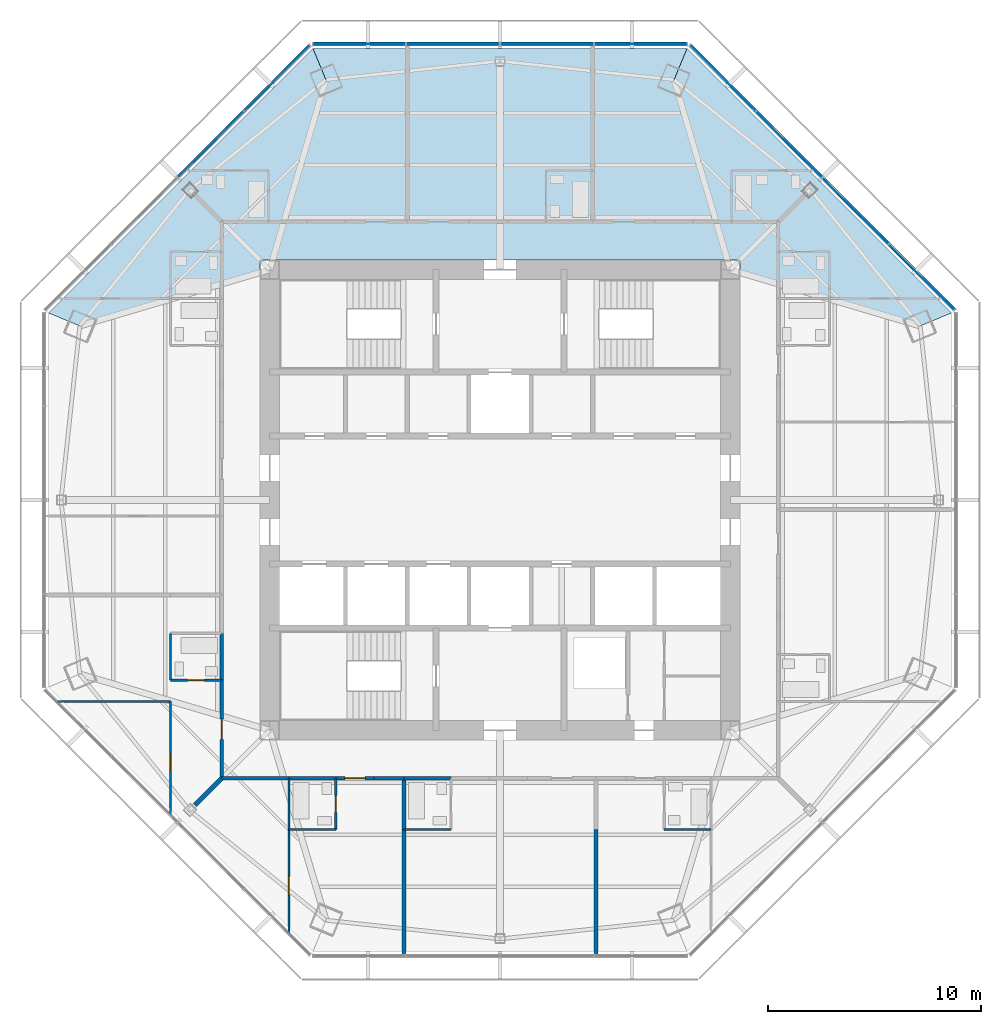
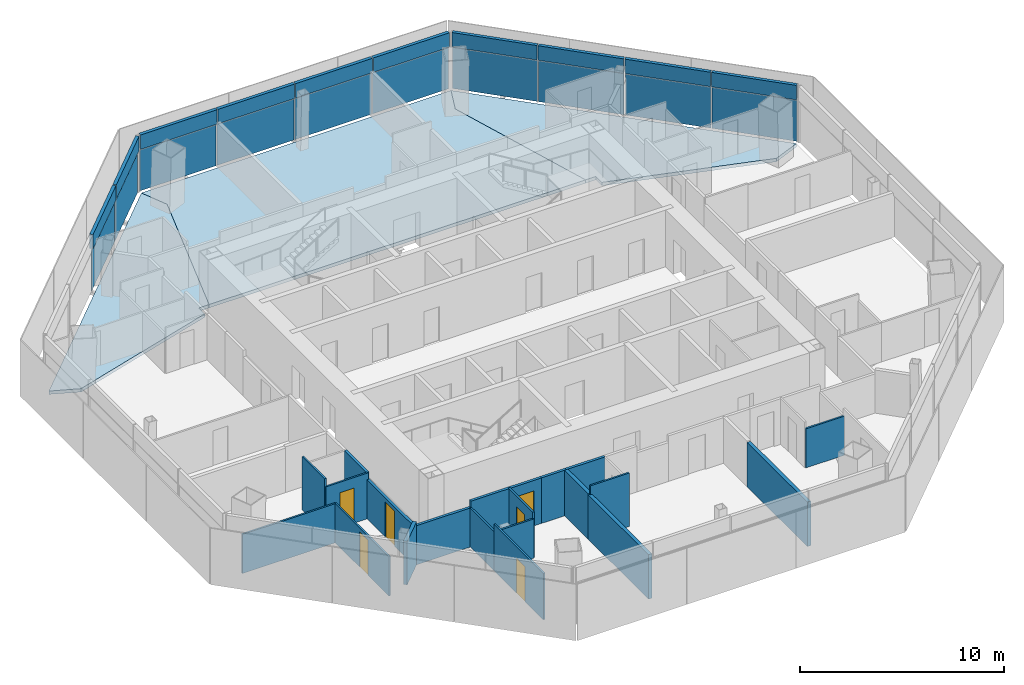
# One storey, part 9 of 15: 21 walls, 20 plates, 6 doors, 3 slabs, 6 openings, 3 elements without a shape of their own.
"""IFC4 building model written with IfcOpenShell, lengths in metres."""

from ifc_helpers import new_model, si_unit, direction, frame, frame_2d, origin, origin_2d, place, context, subcontext, project, spatial, polyline, rectangle, outline, extrude, source, transform, mapped, material, layer, layer_set, type_object, type_shapes, element, fill, aggregate, save


model = new_model("IFC4")

# Units and contexts
model_context = context("Model", 3, precision=1e-05, world=origin(), true_north=direction((0.0, 1.0)))
body_context = subcontext(model_context, "Body", "Model", "MODEL_VIEW")
ifc_project = project(units=[si_unit("LENGTHUNIT", "METRE"), si_unit("AREAUNIT", "SQUARE_METRE"), si_unit("VOLUMEUNIT", "CUBIC_METRE"), si_unit("PLANEANGLEUNIT", "RADIAN"), si_unit("MASSUNIT", "GRAM", prefix="KILO")], contexts=[model_context])

# Site, building, storey
site_placement = place(None, origin())
site = spatial("IfcSite", under=ifc_project, at=site_placement, CompositionType="ELEMENT")
building_placement = place(site_placement, origin())
building = spatial("IfcBuilding", under=site, at=building_placement, Name="Mashrafa Tower", CompositionType="ELEMENT")
storey_placement = place(building_placement, frame((0.0, 0.0, 234.60009765625)))
storey = spatial("IfcBuildingStorey", under=building, at=storey_placement, Name="L55", CompositionType="ELEMENT", Elevation=234.60009765625)

# Slabs
ifc_material_1 = material(Name="Concrete C35/45", Category="concrete")
ifc_layer_1 = layer(ifc_material_1, 0.199951171875)
ifc_layer_set_1 = layer_set([ifc_layer_1], Name="Floor slab 200")
slab_type = type_object("IfcSlabType", Name="Floor slab 200", PredefinedType="FLOOR", material=ifc_layer_set_1)
slab_1_placement = place(storey_placement, frame((0.0, 0.0, -0.2001953125)))
element("IfcSlab", 1, at=slab_1_placement, inside=storey, type_object=slab_type, Name="Floor slab L55 north-east bay", PredefinedType="FLOOR", context=body_context, shape_type="SweptSolid", body=[
    extrude(outline(polyline([(21.17822265625, 8.772216796875), (19.705810546875, 8.162353515625), (11.25, 10.666748046875), (11.25, 11.25), (10.666748046875, 11.25), (8.162353515625, 19.705810546875), (8.772216796875, 21.17822265625), (21.17822265625, 8.772216796875)])), origin(), (0.0, 0.0, 1.0), 0.2001953125),
])
slab_2_placement = place(storey_placement, frame((0.0, 0.0, -0.2001953125)))
element("IfcSlab", 2, at=slab_2_placement, inside=storey, type_object=slab_type, Name="Floor slab L55 north bay", PredefinedType="FLOOR", context=body_context, shape_type="SweptSolid", body=[
    extrude(outline(polyline([(-8.772216796875, 21.17822265625), (8.772216796875, 21.17822265625), (8.772216796875, 21.17822265625), (8.162353515625, 19.705810546875), (10.666748046875, 11.25), (-10.666748046875, 11.25), (-8.162353515625, 19.705810546875), (-8.772216796875, 21.17822265625), (-8.772216796875, 21.17822265625)])), origin(), (0.0, 0.0, 1.0), 0.2001953125),
])
slab_3_placement = place(storey_placement, frame((0.0, 0.0, -0.2001953125)))
element("IfcSlab", 3, at=slab_3_placement, inside=storey, type_object=slab_type, Name="Floor slab L55 north-west bay", PredefinedType="FLOOR", context=body_context, shape_type="SweptSolid", body=[
    extrude(outline(polyline([(-8.772216796875, 21.17822265625), (-8.162353515625, 19.705810546875), (-10.666748046875, 11.25), (-11.25, 11.25), (-11.25, 10.666748046875), (-19.705810546875, 8.162353515625), (-21.17822265625, 8.772216796875), (-8.772216796875, 21.17822265625)])), origin(), (0.0, 0.0, 1.0), 0.2001953125),
])

# Curtain wall, plates
ifc_material_2 = material(Name="Unitised aluminium curtain wall", Category="aluminium")
curtain_wall_type = type_object("IfcCurtainWallType", Name="Apartment curtain wall, zone 3 CW-C 180 deep", PredefinedType="NOTDEFINED", material=ifc_material_2)
curtain_wall_1_placement = place(storey_placement, origin())
curtain_wall_1 = element("IfcCurtainWall", 4, at=curtain_wall_1_placement, inside=storey, type_object=curtain_wall_type, Name="Apartment curtain wall, zone 3 L55 north-east", PredefinedType="NOTDEFINED")
ifc_material_3 = material(Name="Insulated double glazing, acoustic", Category="glass")
ifc_layer_2 = layer(ifc_material_3, 0.028076171875)
ifc_layer_set_2 = layer_set([ifc_layer_2], Name="Vision panel CW-C 28")
plate_type_1 = type_object("IfcPlateType", Name="Vision panel CW-C 28", PredefinedType="CURTAIN_PANEL", material=ifc_layer_set_2)
shared_shape_1 = source(origin(), body_context, "Body", "SweptSolid", [
    extrude(rectangle(XDim=4.31396484375, YDim=0.028076171875, at=origin_2d()), origin(), (0.0, 0.0, 1.0), 2.46240234375),
])
plate_1_placement = place(storey_placement, frame((19.777099609375, 10.456298828125, 0.0), z_axis=(0.0, 0.0, 1.0), x_axis=(-0.707106781187, 0.707106781187, 0.0)))
plate_1 = element("IfcPlate", 5, at=plate_1_placement, type_object=plate_type_1, Name="CW-C vision panel 1", PredefinedType="CURTAIN_PANEL", context=body_context, shape_type="MappedRepresentation", body=[
    mapped(shared_shape_1, transform((0.0, 0.0, 0.0))),
])
plate_2_placement = place(storey_placement, frame((10.456298828125, 19.777099609375, 0.0), z_axis=(0.0, 0.0, 1.0), x_axis=(-0.707106781187, 0.707106781187, 0.0)))
plate_2 = element("IfcPlate", 6, at=plate_2_placement, type_object=plate_type_1, Name="CW-C vision panel 4", PredefinedType="CURTAIN_PANEL", context=body_context, shape_type="MappedRepresentation", body=[
    mapped(shared_shape_1, transform((0.0, 0.0, 0.0))),
])

curtain_wall_2_placement = place(storey_placement, origin())
curtain_wall_2 = element("IfcCurtainWall", 7, at=curtain_wall_2_placement, inside=storey, type_object=curtain_wall_type, Name="Apartment curtain wall, zone 3 L55 north", PredefinedType="NOTDEFINED")
plate_3_placement = place(storey_placement, frame((6.5908203125, 21.378173828125, 0.0), z_axis=(0.0, 0.0, 1.0), x_axis=(-1.0, 0.0, 0.0)))
plate_3 = element("IfcPlate", 8, at=plate_3_placement, type_object=plate_type_1, Name="CW-C vision panel 1", PredefinedType="CURTAIN_PANEL", context=body_context, shape_type="MappedRepresentation", body=[
    mapped(shared_shape_1, transform((0.0, 0.0, 0.0))),
])
plate_4_placement = place(storey_placement, frame((-6.5908203125, 21.378173828125, 0.0), z_axis=(0.0, 0.0, 1.0), x_axis=(-1.0, 0.0, 0.0)))
plate_4 = element("IfcPlate", 9, at=plate_4_placement, type_object=plate_type_1, Name="CW-C vision panel 4", PredefinedType="CURTAIN_PANEL", context=body_context, shape_type="MappedRepresentation", body=[
    mapped(shared_shape_1, transform((0.0, 0.0, 0.0))),
])

# Curtain wall, plate
curtain_wall_3_placement = place(storey_placement, origin())
curtain_wall_3 = element("IfcCurtainWall", 10, at=curtain_wall_3_placement, inside=storey, type_object=curtain_wall_type, Name="Apartment curtain wall, zone 3 L55 north-west", PredefinedType="NOTDEFINED")
plate_5_placement = place(storey_placement, frame((-10.456298828125, 19.777099609375, 0.0), z_axis=(0.0, 0.0, 1.0), x_axis=(-0.707106781187, -0.707106781187, 0.0)))
plate_5 = element("IfcPlate", 11, at=plate_5_placement, type_object=plate_type_1, Name="CW-C vision panel 1", PredefinedType="CURTAIN_PANEL", context=body_context, shape_type="MappedRepresentation", body=[
    mapped(shared_shape_1, transform((0.0, 0.0, 0.0))),
])

# Plate
ifc_material_4 = material(Name="Insulated bronze aluminium spandrel panel", Category="aluminium")
ifc_layer_3 = layer(ifc_material_4, 0.179931640625)
ifc_layer_set_3 = layer_set([ifc_layer_3], Name="Spandrel panel CW-C 180")
plate_type_2 = type_object("IfcPlateType", Name="Spandrel panel CW-C 180", PredefinedType="CURTAIN_PANEL", material=ifc_layer_set_3)
shared_shape_2 = source(origin(), body_context, "Body", "SweptSolid", [
    extrude(rectangle(XDim=4.31396484375, YDim=0.179931640625, at=origin_2d()), origin(), (0.0, 0.0, 1.0), 0.862548828125),
])
plate_6_placement = place(storey_placement, frame((19.777099609375, 10.456298828125, 2.53759765625), z_axis=(0.0, 0.0, 1.0), x_axis=(-0.707106781187, 0.707106781187, 0.0)))
plate_6 = element("IfcPlate", 12, at=plate_6_placement, type_object=plate_type_2, Name="CW-C spandrel panel 1", PredefinedType="CURTAIN_PANEL", context=body_context, shape_type="MappedRepresentation", body=[
    mapped(shared_shape_2, transform((0.0, 0.0, 0.0))),
])

plate_7_placement = place(storey_placement, frame((10.456298828125, 19.777099609375, 2.53759765625), z_axis=(0.0, 0.0, 1.0), x_axis=(-0.707106781187, 0.707106781187, 0.0)))
plate_7 = element("IfcPlate", 13, at=plate_7_placement, type_object=plate_type_2, Name="CW-C spandrel panel 4", PredefinedType="CURTAIN_PANEL", context=body_context, shape_type="MappedRepresentation", body=[
    mapped(shared_shape_2, transform((0.0, 0.0, 0.0))),
])

plate_8_placement = place(storey_placement, frame((6.5908203125, 21.378173828125, 2.53759765625), z_axis=(0.0, 0.0, 1.0), x_axis=(-1.0, 0.0, 0.0)))
plate_8 = element("IfcPlate", 14, at=plate_8_placement, type_object=plate_type_2, Name="CW-C spandrel panel 1", PredefinedType="CURTAIN_PANEL", context=body_context, shape_type="MappedRepresentation", body=[
    mapped(shared_shape_2, transform((0.0, 0.0, 0.0))),
])

plate_9_placement = place(storey_placement, frame((-6.5908203125, 21.378173828125, 2.53759765625), z_axis=(0.0, 0.0, 1.0), x_axis=(-1.0, 0.0, 0.0)))
plate_9 = element("IfcPlate", 15, at=plate_9_placement, type_object=plate_type_2, Name="CW-C spandrel panel 4", PredefinedType="CURTAIN_PANEL", context=body_context, shape_type="MappedRepresentation", body=[
    mapped(shared_shape_2, transform((0.0, 0.0, 0.0))),
])

plate_10_placement = place(storey_placement, frame((-10.456298828125, 19.777099609375, 2.53759765625), z_axis=(0.0, 0.0, 1.0), x_axis=(-0.707106781187, -0.707106781187, 0.0)))
plate_10 = element("IfcPlate", 16, at=plate_10_placement, type_object=plate_type_2, Name="CW-C spandrel panel 1", PredefinedType="CURTAIN_PANEL", context=body_context, shape_type="MappedRepresentation", body=[
    mapped(shared_shape_2, transform((0.0, 0.0, 0.0))),
])

shared_shape_3 = source(origin(), body_context, "Body", "SweptSolid", [
    extrude(rectangle(XDim=4.343994140625, YDim=0.028076171875, at=origin_2d()), origin(), (0.0, 0.0, 1.0), 2.46240234375),
])
type_shapes(plate_type_1, [shared_shape_1, shared_shape_3])
plate_11_placement = place(storey_placement, frame((16.673828125, 13.5595703125, 0.0), z_axis=(0.0, 0.0, 1.0), x_axis=(-0.707106781187, 0.707106781187, 0.0)))
plate_11 = element("IfcPlate", 17, at=plate_11_placement, type_object=plate_type_1, Name="CW-C vision panel 2", PredefinedType="CURTAIN_PANEL", context=body_context, shape_type="MappedRepresentation", body=[
    mapped(shared_shape_3, transform((0.0, 0.0, 0.0))),
])

plate_12_placement = place(storey_placement, frame((13.5595703125, 16.673828125, 0.0), z_axis=(0.0, 0.0, 1.0), x_axis=(-0.707106781187, 0.707106781187, 0.0)))
plate_12 = element("IfcPlate", 18, at=plate_12_placement, type_object=plate_type_1, Name="CW-C vision panel 3", PredefinedType="CURTAIN_PANEL", context=body_context, shape_type="MappedRepresentation", body=[
    mapped(shared_shape_3, transform((0.0, 0.0, 0.0))),
])

plate_13_placement = place(storey_placement, frame((2.201904296875, 21.378173828125, 0.0), z_axis=(0.0, 0.0, 1.0), x_axis=(-1.0, 0.0, 0.0)))
plate_13 = element("IfcPlate", 19, at=plate_13_placement, type_object=plate_type_1, Name="CW-C vision panel 2", PredefinedType="CURTAIN_PANEL", context=body_context, shape_type="MappedRepresentation", body=[
    mapped(shared_shape_3, transform((0.0, 0.0, 0.0))),
])

plate_14_placement = place(storey_placement, frame((-2.201904296875, 21.378173828125, 0.0), z_axis=(0.0, 0.0, 1.0), x_axis=(-1.0, 0.0, 0.0)))
plate_14 = element("IfcPlate", 20, at=plate_14_placement, type_object=plate_type_1, Name="CW-C vision panel 3", PredefinedType="CURTAIN_PANEL", context=body_context, shape_type="MappedRepresentation", body=[
    mapped(shared_shape_3, transform((0.0, 0.0, 0.0))),
])

plate_15_placement = place(storey_placement, frame((-13.5595703125, 16.673828125, 0.0), z_axis=(0.0, 0.0, 1.0), x_axis=(-0.707106781187, -0.707106781187, 0.0)))
plate_15 = element("IfcPlate", 21, at=plate_15_placement, type_object=plate_type_1, Name="CW-C vision panel 2", PredefinedType="CURTAIN_PANEL", context=body_context, shape_type="MappedRepresentation", body=[
    mapped(shared_shape_3, transform((0.0, 0.0, 0.0))),
])

shared_shape_4 = source(origin(), body_context, "Body", "SweptSolid", [
    extrude(rectangle(XDim=4.343994140625, YDim=0.179931640625, at=origin_2d()), origin(), (0.0, 0.0, 1.0), 0.862548828125),
])
type_shapes(plate_type_2, [shared_shape_2, shared_shape_4])
plate_16_placement = place(storey_placement, frame((16.673828125, 13.5595703125, 2.53759765625), z_axis=(0.0, 0.0, 1.0), x_axis=(-0.707106781187, 0.707106781187, 0.0)))
plate_16 = element("IfcPlate", 22, at=plate_16_placement, type_object=plate_type_2, Name="CW-C spandrel panel 2", PredefinedType="CURTAIN_PANEL", context=body_context, shape_type="MappedRepresentation", body=[
    mapped(shared_shape_4, transform((0.0, 0.0, 0.0))),
])

plate_17_placement = place(storey_placement, frame((13.5595703125, 16.673828125, 2.53759765625), z_axis=(0.0, 0.0, 1.0), x_axis=(-0.707106781187, 0.707106781187, 0.0)))
plate_17 = element("IfcPlate", 23, at=plate_17_placement, type_object=plate_type_2, Name="CW-C spandrel panel 3", PredefinedType="CURTAIN_PANEL", context=body_context, shape_type="MappedRepresentation", body=[
    mapped(shared_shape_4, transform((0.0, 0.0, 0.0))),
])

aggregate(curtain_wall_1, [plate_1, plate_6, plate_11, plate_16, plate_12, plate_17, plate_2, plate_7])

plate_18_placement = place(storey_placement, frame((2.201904296875, 21.378173828125, 2.53759765625), z_axis=(0.0, 0.0, 1.0), x_axis=(-1.0, 0.0, 0.0)))
plate_18 = element("IfcPlate", 24, at=plate_18_placement, type_object=plate_type_2, Name="CW-C spandrel panel 2", PredefinedType="CURTAIN_PANEL", context=body_context, shape_type="MappedRepresentation", body=[
    mapped(shared_shape_4, transform((0.0, 0.0, 0.0))),
])

plate_19_placement = place(storey_placement, frame((-2.201904296875, 21.378173828125, 2.53759765625), z_axis=(0.0, 0.0, 1.0), x_axis=(-1.0, 0.0, 0.0)))
plate_19 = element("IfcPlate", 25, at=plate_19_placement, type_object=plate_type_2, Name="CW-C spandrel panel 3", PredefinedType="CURTAIN_PANEL", context=body_context, shape_type="MappedRepresentation", body=[
    mapped(shared_shape_4, transform((0.0, 0.0, 0.0))),
])

aggregate(curtain_wall_2, [plate_3, plate_8, plate_13, plate_18, plate_14, plate_19, plate_4, plate_9])

plate_20_placement = place(storey_placement, frame((-13.5595703125, 16.673828125, 2.53759765625), z_axis=(0.0, 0.0, 1.0), x_axis=(-0.707106781187, -0.707106781187, 0.0)))
plate_20 = element("IfcPlate", 26, at=plate_20_placement, type_object=plate_type_2, Name="CW-C spandrel panel 2", PredefinedType="CURTAIN_PANEL", context=body_context, shape_type="MappedRepresentation", body=[
    mapped(shared_shape_4, transform((0.0, 0.0, 0.0))),
])

aggregate(curtain_wall_3, [plate_5, plate_10, plate_15, plate_20])

# Walls
ifc_material_5 = material(Name="Gypsum board on steel studs", Category="steel")
ifc_layer_4 = layer(ifc_material_5, 0.199951171875)
ifc_layer_set_4 = layer_set([ifc_layer_4], Name="Acoustic partition 200 1 hr")
wall_type_1 = type_object("IfcWallType", Name="Acoustic partition 200 1 hr", PredefinedType="PARTITIONING", material=ifc_layer_set_4)
wall_1_placement = place(storey_placement, frame((-14.310302734375, -14.310302734375, 0.0), z_axis=(0.0, 0.0, 1.0), x_axis=(0.707106781187, 0.707106781187, 0.0)))
element("IfcWall", 27, at=wall_1_placement, inside=storey, type_object=wall_type_1, Name="Acoustic wall L55-085", PredefinedType="PARTITIONING", context=body_context, shape_type="SweptSolid", body=[
    extrude(rectangle(XDim=1.7822265625, YDim=0.199951171875, at=frame_2d((0.89111328125, 0.0))), origin(), (0.0, 0.0, 1.0), 2.582763671875),
])
wall_2_placement = place(storey_placement, frame((-4.5, -15.449951171875, 0.0), z_axis=(0.0, 0.0, 1.0), x_axis=(0.0, 1.0, 0.0)))
element("IfcWall", 28, at=wall_2_placement, inside=storey, type_object=wall_type_1, Name="Acoustic wall L55-090", PredefinedType="PARTITIONING", context=body_context, shape_type="SweptSolid", body=[
    extrude(rectangle(XDim=2.39990234375, YDim=0.199951171875, at=frame_2d((1.199951171875, 0.0))), origin(), (0.0, 0.0, 1.0), 2.730224609375),
])
wall_3_placement = place(storey_placement, frame((-4.5, -21.360107421875, 0.0), z_axis=(0.0, 0.0, 1.0), x_axis=(0.0, 1.0, 0.0)))
element("IfcWall", 29, at=wall_3_placement, inside=storey, type_object=wall_type_1, Name="Acoustic wall L55-091", PredefinedType="PARTITIONING", context=body_context, shape_type="SweptSolid", body=[
    extrude(rectangle(XDim=5.91015625, YDim=0.199951171875, at=frame_2d((2.955078125, 0.0))), origin(), (0.0, 0.0, 1.0), 2.66162109375),
])
wall_4_placement = place(storey_placement, frame((4.5, -21.360107421875, 0.0), z_axis=(0.0, 0.0, 1.0), x_axis=(0.0, 1.0, 0.0)))
element("IfcWall", 30, at=wall_4_placement, inside=storey, type_object=wall_type_1, Name="Acoustic wall L55-095", PredefinedType="PARTITIONING", context=body_context, shape_type="SweptSolid", body=[
    extrude(rectangle(XDim=5.9111328125, YDim=0.199951171875, at=frame_2d((2.95556640625, 0.0))), origin(), (0.0, 0.0, 1.0), 2.66162109375),
])
ifc_material_6 = material(Name="Gypsum board on steel studs", Category="steel")
ifc_layer_5 = layer(ifc_material_6, 0.14990234375)
ifc_layer_set_5 = layer_set([ifc_layer_5], Name="Corridor partition 150 1 hr")
wall_type_2 = type_object("IfcWallType", Name="Corridor partition 150 1 hr", PredefinedType="PARTITIONING", material=ifc_layer_set_5)
wall_5_placement = place(storey_placement, frame((-13.050048828125, -6.2490234375, 0.0), z_axis=(0.0, 0.0, 1.0), x_axis=(0.0, -1.0, 0.0)))
element("IfcWall", 31, at=wall_5_placement, inside=storey, type_object=wall_type_2, Name="Corridor wall L55-031", PredefinedType="PARTITIONING", context=body_context, shape_type="SweptSolid", body=[
    extrude(rectangle(XDim=2.201904296875, YDim=0.14990234375, at=frame_2d((1.10107421875, 0.0))), origin(), (0.0, 0.0, 1.0), 2.730224609375),
])

# Wall, opening, door
wall_6_placement = place(storey_placement, frame((-13.050048828125, -8.448974609375, 0.0), z_axis=(0.0, 0.0, 1.0), x_axis=(0.0, -1.0, 0.0)))
wall_6 = element("IfcWall", 32, at=wall_6_placement, inside=storey, type_object=wall_type_2, Name="Corridor wall L55-033", PredefinedType="PARTITIONING", context=body_context, shape_type="SweptSolid", body=[
    extrude(rectangle(XDim=4.60107421875, YDim=0.14990234375, at=frame_2d((2.300537109375, 0.0))), origin(), (0.0, 0.0, 1.0), 2.343994140625),
])
opening_1_placement = place(wall_6_placement, frame((1.825439453125, 0.0, 0.0)))
opening_1 = element("IfcOpeningElement", 33, at=opening_1_placement, cuts=wall_6, Name="Opening 55.022", PredefinedType="OPENING", context=body_context, shape_type="SweptSolid", body=[
    extrude(rectangle(XDim=0.949951171875, YDim=2.10009765625, at=frame_2d((0.47509765625, 1.050048828125))), frame((0.0, 0.0849609375, 0.0), z_axis=(0.0, -1.0, 0.0), x_axis=(1.0, 0.0, 0.0)), (0.0, 0.0, 1.0), 0.169921875),
])
ifc_material_7 = material(Name="Steel door", Category="steel")
door_type_1 = type_object("IfcDoorType", Name="Residence entrance door 950 x 2100 20 min", OperationType="USERDEFINED", PredefinedType="DOOR", material=ifc_material_7)
door_1_placement = place(opening_1_placement, frame((0.949951171875, 0.0, 0.0), z_axis=(0.0, 0.0, 1.0), x_axis=(-1.0, 0.0, 0.0)))
door_1 = element("IfcDoor", 34, at=door_1_placement, inside=storey, type_object=door_type_1, Name="Apartment 5507 Living Room door", OperationType="SINGLE_SWING_LEFT", OverallHeight=2.10009765625, OverallWidth=0.949951171875, PredefinedType="DOOR", context=body_context, shape_type="SweptSolid", body=[
    extrude(rectangle(XDim=0.949951171875, YDim=2.10009765625, at=frame_2d((0.47509765625, 1.050048828125))), frame((0.0, 0.02490234375, 0.0), z_axis=(0.0, -1.0, 0.0), x_axis=(1.0, 0.0, 0.0)), (0.0, 0.0, 1.0), 0.050048828125),
])
fill(opening_1, door_1)

# Walls
wall_7_placement = place(storey_placement, frame((-13.050048828125, -13.050048828125, 0.0), z_axis=(0.0, 0.0, 1.0), x_axis=(1.0, 0.0, 0.0)))
element("IfcWall", 35, at=wall_7_placement, inside=storey, type_object=wall_type_2, Name="Corridor wall L55-034", PredefinedType="PARTITIONING", context=body_context, shape_type="SweptSolid", body=[
    extrude(rectangle(XDim=3.151123046875, YDim=0.14990234375, at=frame_2d((1.57568359375, 0.0))), origin(), (0.0, 0.0, 1.0), 2.343994140625),
])
wall_8_placement = place(storey_placement, frame((-9.90087890625, -13.050048828125, 0.0), z_axis=(0.0, 0.0, 1.0), x_axis=(1.0, 0.0, 0.0)))
element("IfcWall", 36, at=wall_8_placement, inside=storey, type_object=wall_type_2, Name="Corridor wall L55-035", PredefinedType="PARTITIONING", context=body_context, shape_type="SweptSolid", body=[
    extrude(rectangle(XDim=2.201904296875, YDim=0.14990234375, at=frame_2d((1.10107421875, 0.0))), origin(), (0.0, 0.0, 1.0), 2.730224609375),
])
wall_9_placement = place(storey_placement, frame((-5.90087890625, -13.050048828125, 0.0), z_axis=(0.0, 0.0, 1.0), x_axis=(1.0, 0.0, 0.0)))
element("IfcWall", 37, at=wall_9_placement, inside=storey, type_object=wall_type_2, Name="Corridor wall L55-036", PredefinedType="PARTITIONING", context=body_context, shape_type="SweptSolid", body=[
    extrude(rectangle(XDim=1.40185546875, YDim=0.14990234375, at=frame_2d((0.700927734375, 0.0))), origin(), (0.0, 0.0, 1.0), 2.730224609375),
])

# Wall, opening, door
wall_10_placement = place(storey_placement, frame((-7.700927734375, -13.050048828125, 0.0), z_axis=(0.0, 0.0, 1.0), x_axis=(1.0, 0.0, 0.0)))
wall_10 = element("IfcWall", 38, at=wall_10_placement, inside=storey, type_object=wall_type_2, Name="Corridor wall L55-037", PredefinedType="PARTITIONING", context=body_context, shape_type="SweptSolid", body=[
    extrude(rectangle(XDim=1.802001953125, YDim=0.14990234375, at=frame_2d((0.90087890625, 0.0))), origin(), (0.0, 0.0, 1.0), 2.730224609375),
])
opening_2_placement = place(wall_10_placement, frame((0.426025390625, 0.0, 0.0)))
opening_2 = element("IfcOpeningElement", 39, at=opening_2_placement, cuts=wall_10, Name="Opening 55.025", PredefinedType="OPENING", context=body_context, shape_type="SweptSolid", body=[
    extrude(rectangle(XDim=0.949951171875, YDim=2.10009765625, at=frame_2d((0.47509765625, 1.050048828125))), frame((0.0, 0.0849609375, 0.0), z_axis=(0.0, -1.0, 0.0), x_axis=(1.0, 0.0, 0.0)), (0.0, 0.0, 1.0), 0.169921875),
])
door_2_placement = place(opening_2_placement, frame((0.949951171875, 0.0, 0.0), z_axis=(0.0, 0.0, 1.0), x_axis=(-1.0, 0.0, 0.0)))
door_2 = element("IfcDoor", 40, at=door_2_placement, inside=storey, type_object=door_type_1, Name="Apartment 5508 Living Room door", OperationType="SINGLE_SWING_LEFT", OverallHeight=2.10009765625, OverallWidth=0.949951171875, PredefinedType="DOOR", context=body_context, shape_type="SweptSolid", body=[
    extrude(rectangle(XDim=0.949951171875, YDim=2.10009765625, at=frame_2d((0.47509765625, 1.050048828125))), frame((0.0, 0.02490234375, 0.0), z_axis=(0.0, -1.0, 0.0), x_axis=(1.0, 0.0, 0.0)), (0.0, 0.0, 1.0), 0.050048828125),
])
fill(opening_2, door_2)

# Wall
wall_11_placement = place(storey_placement, frame((-4.5009765625, -13.050048828125, 0.0), z_axis=(0.0, 0.0, 1.0), x_axis=(1.0, 0.0, 0.0)))
element("IfcWall", 41, at=wall_11_placement, inside=storey, type_object=wall_type_2, Name="Corridor wall L55-038", PredefinedType="PARTITIONING", context=body_context, shape_type="SweptSolid", body=[
    extrude(rectangle(XDim=2.201904296875, YDim=0.14990234375, at=frame_2d((1.10107421875, 0.0))), origin(), (0.0, 0.0, 1.0), 2.730224609375),
])

# Wall, opening, door
ifc_material_8 = material(Name="Gypsum board on steel studs", Category="steel")
ifc_layer_6 = layer(ifc_material_8, 0.10009765625)
ifc_layer_set_6 = layer_set([ifc_layer_6], Name="Partition 100")
wall_type_3 = type_object("IfcWallType", Name="Partition 100", PredefinedType="PARTITIONING", material=ifc_layer_set_6)
wall_12_placement = place(storey_placement, frame((-15.449951171875, -14.76171875, 0.0), z_axis=(0.0, 0.0, 1.0), x_axis=(0.0, 1.0, 0.0)))
wall_12 = element("IfcWall", 42, at=wall_12_placement, inside=storey, type_object=wall_type_3, Name="Partition wall L55-080", PredefinedType="PARTITIONING", context=body_context, shape_type="SweptSolid", body=[
    extrude(rectangle(XDim=5.311767578125, YDim=0.10009765625, at=frame_2d((2.65576171875, 0.0))), origin(), (0.0, 0.0, 1.0), 2.343994140625),
])
opening_3_placement = place(wall_12_placement, frame((2.033935546875, 0.0, 0.0)))
opening_3 = element("IfcOpeningElement", 43, at=opening_3_placement, cuts=wall_12, Name="Opening 55.020", PredefinedType="OPENING", context=body_context, shape_type="SweptSolid", body=[
    extrude(rectangle(XDim=0.85009765625, YDim=2.10009765625, at=frame_2d((0.425048828125, 1.050048828125))), frame((0.0, 0.06005859375, 0.0), z_axis=(0.0, -1.0, 0.0), x_axis=(1.0, 0.0, 0.0)), (0.0, 0.0, 1.0), 0.1201171875),
])
ifc_material_9 = material(Name="Timber door", Category="wood")
door_type_2 = type_object("IfcDoorType", Name="Bedroom door 850 x 2100", OperationType="USERDEFINED", PredefinedType="DOOR", material=ifc_material_9)
door_3_placement = place(opening_3_placement, origin())
door_3 = element("IfcDoor", 44, at=door_3_placement, inside=storey, type_object=door_type_2, Name="Apartment 5507 Bedroom 1 door", OperationType="SINGLE_SWING_LEFT", OverallHeight=2.10009765625, OverallWidth=0.85009765625, PredefinedType="DOOR", context=body_context, shape_type="SweptSolid", body=[
    extrude(rectangle(XDim=0.85009765625, YDim=2.10009765625, at=frame_2d((0.425048828125, 1.050048828125))), frame((0.0, 0.02490234375, 0.0), z_axis=(0.0, -1.0, 0.0), x_axis=(1.0, 0.0, 0.0)), (0.0, 0.0, 1.0), 0.050048828125),
])
fill(opening_3, door_3)

# Walls
wall_13_placement = place(storey_placement, frame((-15.449951171875, -9.449951171875, 0.0), z_axis=(0.0, 0.0, 1.0), x_axis=(-1.0, 0.0, 0.0)))
element("IfcWall", 45, at=wall_13_placement, inside=storey, type_object=wall_type_3, Name="Partition wall L55-081", PredefinedType="PARTITIONING", context=body_context, shape_type="SweptSolid", body=[
    extrude(rectangle(XDim=5.3095703125, YDim=0.10009765625, at=frame_2d((2.65478515625, 0.0))), origin(), (0.0, 0.0, 1.0), 2.343994140625),
])
wall_14_placement = place(storey_placement, frame((-15.449951171875, -6.25, 0.0), z_axis=(0.0, 0.0, 1.0), x_axis=(0.0, -1.0, 0.0)))
element("IfcWall", 46, at=wall_14_placement, inside=storey, type_object=wall_type_3, Name="Partition wall L55-083", PredefinedType="PARTITIONING", context=body_context, shape_type="SweptSolid", body=[
    extrude(rectangle(XDim=2.199951171875, YDim=0.10009765625, at=frame_2d((1.10009765625, 0.0))), origin(), (0.0, 0.0, 1.0), 3.199951171875),
])

# Wall, opening, door
wall_15_placement = place(storey_placement, frame((-15.449951171875, -8.449951171875, 0.0), z_axis=(0.0, 0.0, 1.0), x_axis=(1.0, 0.0, 0.0)))
wall_15 = element("IfcWall", 47, at=wall_15_placement, inside=storey, type_object=wall_type_3, Name="Partition wall L55-084", PredefinedType="PARTITIONING", context=body_context, shape_type="SweptSolid", body=[
    extrude(rectangle(XDim=2.39990234375, YDim=0.10009765625, at=frame_2d((1.199951171875, 0.0))), origin(), (0.0, 0.0, 1.0), 2.730224609375),
])
opening_4_placement = place(wall_15_placement, frame((0.800048828125, 0.0, 0.0)))
opening_4 = element("IfcOpeningElement", 48, at=opening_4_placement, cuts=wall_15, Name="Opening 55.021", PredefinedType="OPENING", context=body_context, shape_type="SweptSolid", body=[
    extrude(rectangle(XDim=0.800048828125, YDim=2.10009765625, at=frame_2d((0.39990234375, 1.050048828125))), frame((0.0, 0.06005859375, 0.0), z_axis=(0.0, -1.0, 0.0), x_axis=(1.0, 0.0, 0.0)), (0.0, 0.0, 1.0), 0.1201171875),
])
ifc_material_10 = material(Name="Timber door", Category="wood")
door_type_3 = type_object("IfcDoorType", Name="Bathroom door 800 x 2100", OperationType="USERDEFINED", PredefinedType="DOOR", material=ifc_material_10)
door_4_placement = place(opening_4_placement, origin())
door_4 = element("IfcDoor", 49, at=door_4_placement, inside=storey, type_object=door_type_3, Name="Apartment 5507 Bathroom door", OperationType="SINGLE_SWING_RIGHT", OverallHeight=2.10009765625, OverallWidth=0.800048828125, PredefinedType="DOOR", context=body_context, shape_type="SweptSolid", body=[
    extrude(rectangle(XDim=0.800048828125, YDim=2.10009765625, at=frame_2d((0.39990234375, 1.050048828125))), frame((0.0, 0.02490234375, 0.0), z_axis=(0.0, -1.0, 0.0), x_axis=(1.0, 0.0, 0.0)), (0.0, 0.0, 1.0), 0.050048828125),
])
fill(opening_4, door_4)

# Wall
wall_16_placement = place(storey_placement, frame((-9.89990234375, -15.450927734375, 0.0), z_axis=(0.0, 0.0, 1.0), x_axis=(0.0, 1.0, 0.0)))
element("IfcWall", 50, at=wall_16_placement, inside=storey, type_object=wall_type_3, Name="Partition wall L55-086", PredefinedType="PARTITIONING", context=body_context, shape_type="SweptSolid", body=[
    extrude(rectangle(XDim=2.40087890625, YDim=0.10009765625, at=frame_2d((1.200439453125, 0.0))), origin(), (0.0, 0.0, 1.0), 2.343994140625),
])

# Wall, opening, door
wall_17_placement = place(storey_placement, frame((-9.89990234375, -20.3115234375, 0.0), z_axis=(0.0, 0.0, 1.0), x_axis=(0.0, 1.0, 0.0)))
wall_17 = element("IfcWall", 51, at=wall_17_placement, inside=storey, type_object=wall_type_3, Name="Partition wall L55-087", PredefinedType="PARTITIONING", context=body_context, shape_type="SweptSolid", body=[
    extrude(rectangle(XDim=4.862548828125, YDim=0.10009765625, at=frame_2d((2.43115234375, 0.0))), origin(), (0.0, 0.0, 1.0), 2.783447265625),
])
opening_5_placement = place(wall_17_placement, frame((1.8095703125, 0.0, 0.0)))
opening_5 = element("IfcOpeningElement", 52, at=opening_5_placement, cuts=wall_17, Name="Opening 55.023", PredefinedType="OPENING", context=body_context, shape_type="SweptSolid", body=[
    extrude(rectangle(XDim=0.85009765625, YDim=2.10009765625, at=frame_2d((0.425048828125, 1.050048828125))), frame((0.0, 0.06005859375, 0.0), z_axis=(0.0, -1.0, 0.0), x_axis=(1.0, 0.0, 0.0)), (0.0, 0.0, 1.0), 0.1201171875),
])
door_5_placement = place(opening_5_placement, origin())
door_5 = element("IfcDoor", 53, at=door_5_placement, inside=storey, type_object=door_type_2, Name="Apartment 5508 Bedroom 1 door", OperationType="SINGLE_SWING_LEFT", OverallHeight=2.10009765625, OverallWidth=0.85009765625, PredefinedType="DOOR", context=body_context, shape_type="SweptSolid", body=[
    extrude(rectangle(XDim=0.85009765625, YDim=2.10009765625, at=frame_2d((0.425048828125, 1.050048828125))), frame((0.0, 0.02490234375, 0.0), z_axis=(0.0, -1.0, 0.0), x_axis=(1.0, 0.0, 0.0)), (0.0, 0.0, 1.0), 0.050048828125),
])
fill(opening_5, door_5)

# Wall
wall_18_placement = place(storey_placement, frame((-9.89990234375, -15.449951171875, 0.0), z_axis=(0.0, 0.0, 1.0), x_axis=(1.0, 0.0, 0.0)))
element("IfcWall", 54, at=wall_18_placement, inside=storey, type_object=wall_type_3, Name="Partition wall L55-088", PredefinedType="PARTITIONING", context=body_context, shape_type="SweptSolid", body=[
    extrude(rectangle(XDim=2.199951171875, YDim=0.10009765625, at=frame_2d((1.10009765625, 0.0))), origin(), (0.0, 0.0, 1.0), 2.343994140625),
])

# Wall, opening, door
wall_19_placement = place(storey_placement, frame((-7.699951171875, -15.449951171875, 0.0), z_axis=(0.0, 0.0, 1.0), x_axis=(0.0, 1.0, 0.0)))
wall_19 = element("IfcWall", 55, at=wall_19_placement, inside=storey, type_object=wall_type_3, Name="Partition wall L55-089", PredefinedType="PARTITIONING", context=body_context, shape_type="SweptSolid", body=[
    extrude(rectangle(XDim=2.39990234375, YDim=0.10009765625, at=frame_2d((1.199951171875, 0.0))), origin(), (0.0, 0.0, 1.0), 2.730224609375),
])
opening_6_placement = place(wall_19_placement, frame((0.800048828125, 0.0, 0.0)))
opening_6 = element("IfcOpeningElement", 56, at=opening_6_placement, cuts=wall_19, Name="Opening 55.024", PredefinedType="OPENING", context=body_context, shape_type="SweptSolid", body=[
    extrude(rectangle(XDim=0.800048828125, YDim=2.10009765625, at=frame_2d((0.39990234375, 1.050048828125))), frame((0.0, 0.06005859375, 0.0), z_axis=(0.0, -1.0, 0.0), x_axis=(1.0, 0.0, 0.0)), (0.0, 0.0, 1.0), 0.1201171875),
])
door_6_placement = place(opening_6_placement, origin())
door_6 = element("IfcDoor", 57, at=door_6_placement, inside=storey, type_object=door_type_3, Name="Apartment 5508 Bathroom door", OperationType="SINGLE_SWING_RIGHT", OverallHeight=2.10009765625, OverallWidth=0.800048828125, PredefinedType="DOOR", context=body_context, shape_type="SweptSolid", body=[
    extrude(rectangle(XDim=0.800048828125, YDim=2.10009765625, at=frame_2d((0.39990234375, 1.050048828125))), frame((0.0, 0.02490234375, 0.0), z_axis=(0.0, -1.0, 0.0), x_axis=(1.0, 0.0, 0.0)), (0.0, 0.0, 1.0), 0.050048828125),
])
fill(opening_6, door_6)

# Walls
wall_20_placement = place(storey_placement, frame((-4.5, -15.449951171875, 0.0), z_axis=(0.0, 0.0, 1.0), x_axis=(1.0, 0.0, 0.0)))
element("IfcWall", 58, at=wall_20_placement, inside=storey, type_object=wall_type_3, Name="Partition wall L55-092", PredefinedType="PARTITIONING", context=body_context, shape_type="SweptSolid", body=[
    extrude(rectangle(XDim=2.199951171875, YDim=0.10009765625, at=frame_2d((1.10009765625, 0.0))), origin(), (0.0, 0.0, 1.0), 3.199951171875),
])
wall_21_placement = place(storey_placement, frame((7.699951171875, -15.449951171875, 0.0), z_axis=(0.0, 0.0, 1.0), x_axis=(1.0, 0.0, 0.0)))
element("IfcWall", 59, at=wall_21_placement, inside=storey, type_object=wall_type_3, Name="Partition wall L55-099", PredefinedType="PARTITIONING", context=body_context, shape_type="SweptSolid", body=[
    extrude(rectangle(XDim=2.199951171875, YDim=0.10009765625, at=frame_2d((1.10009765625, 0.0))), origin(), (0.0, 0.0, 1.0), 2.343994140625),
])

save(model, "model.ifc")
